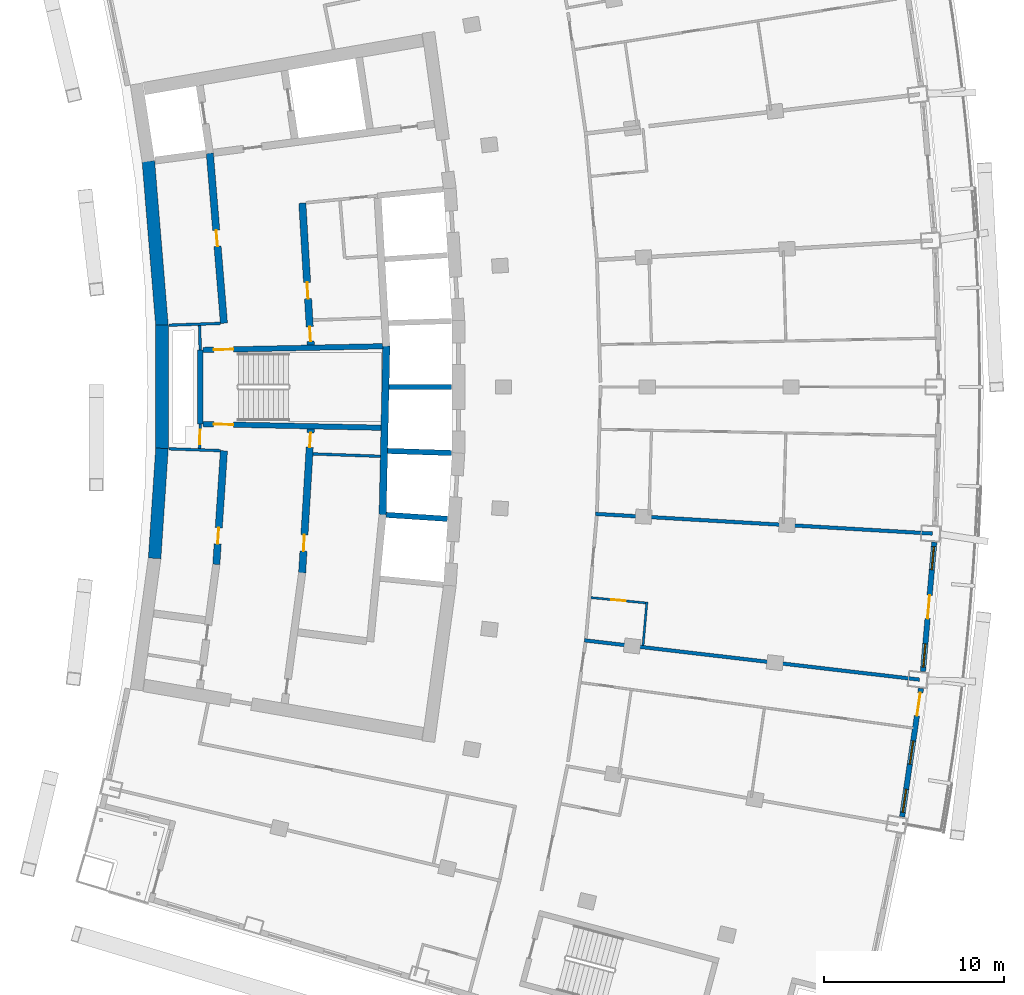
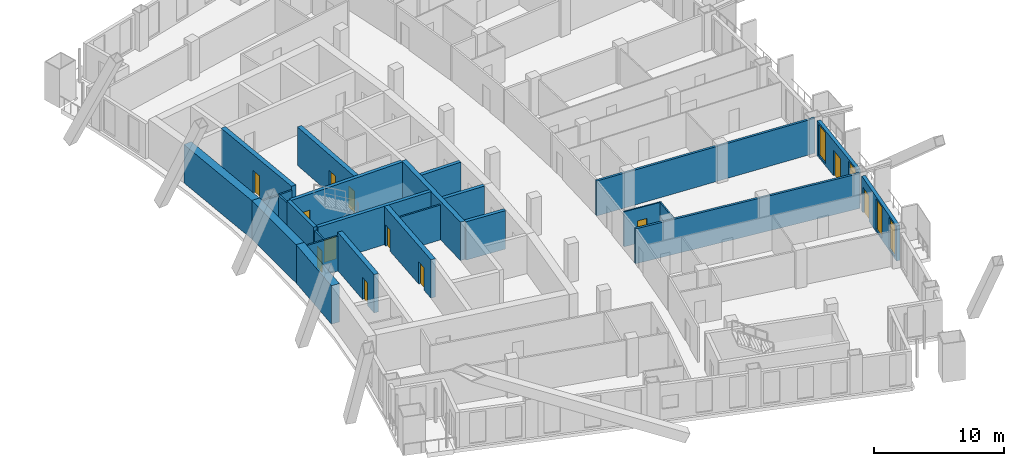
# One storey, part 12 of 20: 25 walls, 12 doors, 4 windows, 16 openings.
"""IFC4 building model written with IfcOpenShell, lengths in metres."""

import ifcopenshell
import ifcopenshell.guid

model = None  # the IFC model being written
_history = None  # IfcOwnerHistory: only IFC2X3 demands one
_inside = {}  # id of a spatial element -> (the spatial element, [elements in it])
_under = {}  # id of a project, library or spatial element -> (it, [spatial elements below it])
_declared = {}  # id of a project -> (the project, [libraries it declares])
_typed = {}  # id of a type object -> (the type object, [elements of that type])
_made_of = {}  # id of a material, layer set ... -> (it, [elements and type objects made of it])


def new_model(schema):
    """Start an empty IFC model of exactly this schema.

    Asked for "IFC4X3", IfcOpenShell would pick the latest addendum, in which some entities
    have other attributes; the version numbers below select the first issue.
    IFC2X3 requires an IfcOwnerHistory on every rooted entity: one is made here for all.
    """
    global model, _history
    if schema == "IFC4X3":
        model = ifcopenshell.file(schema_version=(4, 3, 0, 0))
    else:
        model = ifcopenshell.file(schema=schema)
    _inside.clear()
    _under.clear()
    _declared.clear()
    _typed.clear()
    _made_of.clear()
    _history = None
    if model.schema == "IFC2X3":
        org = make("IfcOrganization", Name="unknown")
        user = make(
            "IfcPersonAndOrganization",
            ThePerson=make("IfcPerson", FamilyName="unknown"),
            TheOrganization=org,
        )
        app = make(
            "IfcApplication",
            ApplicationDeveloper=org,
            Version="unknown",
            ApplicationFullName="unknown",
            ApplicationIdentifier="unknown",
        )
        _history = make(
            "IfcOwnerHistory",
            OwningUser=user,
            OwningApplication=app,
            ChangeAction="ADDED",
            CreationDate=0,
        )
    return model


def make(cls, **values):
    """One entity of the class cls with the attributes given. An attribute that is None is left unset."""
    return model.create_entity(
        cls, **{name: value for name, value in values.items() if value is not None}
    )


def rooted(cls, **values):
    """An entity with a GlobalId (a new one), such as an element, a storey or a relation."""
    return make(cls, GlobalId=ifcopenshell.guid.new(), OwnerHistory=_history, **values)


def si_unit(unit_type, name, prefix=None):
    """IfcSIUnit, for example si_unit("LENGTHUNIT", "METRE", prefix="MILLI")."""
    return make("IfcSIUnit", UnitType=unit_type, Prefix=prefix, Name=name)


def assignment(units):
    """IfcUnitAssignment: the units of a project."""
    return None if units is None else make("IfcUnitAssignment", Units=units)


def point(xyz):
    """IfcCartesianPoint."""
    return None if xyz is None else make("IfcCartesianPoint", Coordinates=xyz)


def direction(xyz):
    """IfcDirection."""
    return None if xyz is None else make("IfcDirection", DirectionRatios=xyz)


def frame(location, z_axis=None, x_axis=None):
    """IfcAxis2Placement3D, a coordinate frame: its origin and axes. An axis left out is left unset."""
    return make(
        "IfcAxis2Placement3D",
        Location=point(location),
        Axis=direction(z_axis),
        RefDirection=direction(x_axis),
    )


def frame_2d(location, x_axis=None):
    """IfcAxis2Placement2D, a coordinate frame in the plane: its origin and x axis."""
    return make(
        "IfcAxis2Placement2D", Location=point(location), RefDirection=direction(x_axis)
    )


def origin():
    """The frame at (0, 0, 0) with its axes left unset."""
    return frame((0.0, 0.0, 0.0))


def place(relative_to, where):
    """IfcLocalPlacement: puts the frame where relative to a parent placement (None: the world)."""
    return make(
        "IfcLocalPlacement", PlacementRelTo=relative_to, RelativePlacement=where
    )


def context(
    kind, dimensions, precision=None, world=None, true_north=None, identifier=None
):
    """IfcGeometricRepresentationContext, for example the 3D "Model" context."""
    return make(
        "IfcGeometricRepresentationContext",
        ContextIdentifier=identifier,
        ContextType=kind,
        CoordinateSpaceDimension=dimensions,
        Precision=precision,
        WorldCoordinateSystem=world,
        TrueNorth=true_north,
    )


def subcontext(parent, identifier, kind, view, scale=None):
    """IfcGeometricRepresentationSubContext, for example "Body" below "Model"."""
    return make(
        "IfcGeometricRepresentationSubContext",
        ContextIdentifier=identifier,
        ContextType=kind,
        ParentContext=parent,
        TargetScale=scale,
        TargetView=view,
    )


def project(units=None, contexts=None):
    """IfcProject with its units and contexts."""
    return rooted(
        "IfcProject",
        Name="project",
        RepresentationContexts=contexts,
        UnitsInContext=assignment(units),
    )


def spatial(cls, under=None, at=None, **own):
    """A site, building, storey or space (cls), placed at a placement, below another one or the project."""
    s = rooted(cls, ObjectPlacement=at, **own)
    if under is not None:
        _under.setdefault(under.id(), (under, []))[1].append(s)
    return s


def profile(cls, at=None, kind="AREA", **sizes):
    """A parametric profile (cls). Its sizes go by their IFC names, for example OverallWidth=200.0."""
    return make(cls, ProfileType=kind, Position=at, **sizes)


def rectangle(**sizes):
    """IfcRectangleProfileDef."""
    return profile("IfcRectangleProfileDef", **sizes)


def extrude(swept, where, along, depth):
    """IfcExtrudedAreaSolid: the profile swept, set in the frame where, extruded along a direction by depth."""
    return make(
        "IfcExtrudedAreaSolid",
        SweptArea=swept,
        Position=where,
        ExtrudedDirection=direction(along),
        Depth=depth,
    )


def shape(context_of_items, identifier, shape_type, items):
    """IfcShapeRepresentation: the items that make up one representation, for example the "Body"."""
    return make(
        "IfcShapeRepresentation",
        ContextOfItems=context_of_items,
        RepresentationIdentifier=identifier,
        RepresentationType=shape_type,
        Items=items,
    )


def material(Name=None, Category=None):
    """IfcMaterial."""
    return make("IfcMaterial", Name=Name, Category=Category)


def layer(
    of_material, thickness, ventilated=None, Name=None, Category=None, Priority=None
):
    """IfcMaterialLayer: one layer of a wall or slab, of a material (None: an air gap)."""
    return make(
        "IfcMaterialLayer",
        Material=of_material,
        LayerThickness=thickness,
        IsVentilated=ventilated,
        Name=Name,
        Category=Category,
        Priority=Priority,
    )


def layer_set(layers, Name=None):
    """IfcMaterialLayerSet."""
    return make("IfcMaterialLayerSet", MaterialLayers=layers, LayerSetName=Name)


def made_of(thing, what):
    """Note that an element or type object is made of a material, layer set ...; save() writes the relation."""
    if what is not None:
        _made_of.setdefault(what.id(), (what, []))[1].append(thing)
    return thing


def type_object(cls, material=None, **own):
    """A type object (cls), such as IfcWallType, which elements share."""
    return made_of(rooted(cls, **own), material)


def element(
    cls,
    number,
    at=None,
    inside=None,
    cuts=None,
    type_object=None,
    material=None,
    context=None,
    identifier="Body",
    shape_type=None,
    held_by="IfcProductDefinitionShape",
    body=None,
    shapes=None,
    **own,
):
    """One element of the class cls, such as IfcWall. Its Tag is "e" and its number.

    at: its placement. inside: the storey or other place that contains it. cuts: it is an
    opening in that element (IfcRelVoidsElement). A single representation is given by context,
    identifier, shape_type and body (its items); several are given by shapes. held_by: the class
    of the entity that holds the representations. save() writes the other relations.
    """
    e = rooted(cls, Tag="e%d" % number, ObjectPlacement=at, **own)
    if body is not None:
        shapes = [shape(context, identifier, shape_type, body)]
    if shapes is not None:
        e.Representation = make(held_by, Representations=shapes)
    if inside is not None:
        _inside.setdefault(inside.id(), (inside, []))[1].append(e)
    if cuts is not None:
        rooted(
            "IfcRelVoidsElement", RelatingBuildingElement=cuts, RelatedOpeningElement=e
        )
    if type_object is not None:
        _typed.setdefault(type_object.id(), (type_object, []))[1].append(e)
    return made_of(e, material)


def fill(opening, filler):
    """IfcRelFillsElement: the door or window that sits in an opening."""
    return rooted(
        "IfcRelFillsElement",
        RelatingOpeningElement=opening,
        RelatedBuildingElement=filler,
    )


def aggregate(whole, parts):
    """IfcRelAggregates: a whole, such as a stair, and the parts it consists of."""
    return rooted("IfcRelAggregates", RelatingObject=whole, RelatedObjects=parts)


def save(model, path):
    """Write the relations noted so far, then the file.

    IfcRelAggregates (storeys below a building ...), IfcRelContainedInSpatialStructure (elements
    in a storey), IfcRelDefinesByType, IfcRelAssociatesMaterial and IfcRelDeclares: one each for
    every whole, place, type object, material and project.
    """
    for whole, parts in _under.values():
        aggregate(whole, parts)
    for where, things in _inside.values():
        rooted(
            "IfcRelContainedInSpatialStructure",
            RelatedElements=things,
            RelatingStructure=where,
        )
    for kind, things in _typed.values():
        rooted("IfcRelDefinesByType", RelatedObjects=things, RelatingType=kind)
    for what, things in _made_of.values():
        rooted("IfcRelAssociatesMaterial", RelatedObjects=things, RelatingMaterial=what)
    for by, libraries in _declared.values():
        rooted("IfcRelDeclares", RelatingContext=by, RelatedDefinitions=libraries)
    model.write(path)


model = new_model("IFC4")

# Units and contexts
model_context = context("Model", 3, precision=1e-05, world=origin(), true_north=direction((0.0, 1.0)))
body_context = subcontext(model_context, "Body", "Model", "MODEL_VIEW")
ifc_project = project(units=[si_unit("LENGTHUNIT", "METRE"), si_unit("AREAUNIT", "SQUARE_METRE"), si_unit("VOLUMEUNIT", "CUBIC_METRE"), si_unit("PLANEANGLEUNIT", "RADIAN"), si_unit("MASSUNIT", "GRAM", prefix="KILO")], contexts=[model_context])

# Site, building, storey
site_placement = place(None, origin())
site = spatial("IfcSite", under=ifc_project, at=site_placement, CompositionType="ELEMENT")
building_placement = place(site_placement, origin())
building = spatial("IfcBuilding", under=site, at=building_placement, Name="Alderwake Tower", CompositionType="ELEMENT")
storey_placement = place(building_placement, frame((0.0, 0.0, 149.60009765625)))
storey = spatial("IfcBuildingStorey", under=building, at=storey_placement, Name="L36", CompositionType="ELEMENT", Elevation=149.60009765625)

# Wall
ifc_material_1 = material(Name="Gypsum shaft wall system, rated")
ifc_layer_1 = layer(ifc_material_1, 0.14990234375)
ifc_layer_set_1 = layer_set([ifc_layer_1], Name="Core riser partition 150")
wall_type_1 = type_object("IfcWallType", Name="Core riser partition 150", PredefinedType="PARTITIONING", material=ifc_layer_set_1)
wall_1_placement = place(storey_placement, frame((25.1904296875, 57.276611328125, 0.0), z_axis=(0.0, 0.0, 1.0), x_axis=(0.99937350076, -0.035392173974, 0.0)))
element("IfcWall", 1, at=wall_1_placement, inside=storey, type_object=wall_type_1, Name="CW/L36/PR-37_+86", PredefinedType="PARTITIONING", context=body_context, shape_type="SweptSolid", body=[
    extrude(rectangle(XDim=3.752685546875, YDim=0.14990234375, at=frame_2d((1.87646484375, 0.0))), origin(), (0.0, 0.0, 1.0), 3.27978515625),
])

# Wall, opening, door
ifc_material_2 = material(Name="Gypsum shaft wall system, rated")
ifc_layer_2 = layer(ifc_material_2, 0.14990234375)
ifc_layer_set_2 = layer_set([ifc_layer_2], Name="Core room partition 150")
wall_type_2 = type_object("IfcWallType", Name="Core room partition 150", PredefinedType="PARTITIONING", material=ifc_layer_set_2)
wall_2_placement = place(storey_placement, frame((18.918701171875, 58.94384765625, 0.0), z_axis=(0.0, 0.0, 1.0), x_axis=(-0.027811602725, -0.999613182563, 0.0)))
wall_2 = element("IfcWall", 2, at=wall_2_placement, inside=storey, type_object=wall_type_2, Name="CW/L36/PA+24_-37", PredefinedType="PARTITIONING", context=body_context, shape_type="SweptSolid", body=[
    extrude(rectangle(XDim=1.369384765625, YDim=0.14990234375, at=frame_2d((0.6845703125, 0.0))), origin(), (0.0, 0.0, 1.0), 3.27978515625),
])
opening_1_placement = place(wall_2_placement, frame((0.322998046875, 0.0, 0.0)))
opening_1 = element("IfcOpeningElement", 3, at=opening_1_placement, cuts=wall_2, Name="Opening C004", PredefinedType="OPENING", context=body_context, shape_type="SweptSolid", body=[
    extrude(rectangle(XDim=0.800048828125, YDim=2.0, at=frame_2d((0.39990234375, 1.0))), frame((0.0, 0.0849609375, 0.0), z_axis=(0.0, -1.0, 0.0), x_axis=(1.0, 0.0, 0.0)), (0.0, 0.0, 1.0), 0.169921875),
])
ifc_material_3 = material(Name="Painted steel leaf, rated", Category="steel")
door_type_1 = type_object("IfcDoorType", Name="Riser access door 800", OperationType="SINGLE_SWING_LEFT", PredefinedType="DOOR", material=ifc_material_3)
door_1_placement = place(opening_1_placement, origin())
door_1 = element("IfcDoor", 4, at=door_1_placement, inside=storey, type_object=door_type_1, Name="Riser access door", OperationType="SINGLE_SWING_RIGHT", OverallHeight=2.0, OverallWidth=0.800048828125, PredefinedType="DOOR", context=body_context, shape_type="SweptSolid", body=[
    extrude(rectangle(XDim=0.800048828125, YDim=2.0, at=frame_2d((0.39990234375, 1.0))), frame((0.0, 0.02490234375, 0.0), z_axis=(0.0, -1.0, 0.0), x_axis=(1.0, 0.0, 0.0)), (0.0, 0.0, 1.0), 0.050048828125),
])
fill(opening_1, door_1)

# Walls
wall_3_placement = place(storey_placement, frame((18.918701171875, 63.05517578125, 0.0), z_axis=(0.0, 0.0, 1.0), x_axis=(-0.027791791559, 0.99961373356, 0.0)))
element("IfcWall", 5, at=wall_3_placement, inside=storey, type_object=wall_type_2, Name="CW/L36/PA+24_+22", PredefinedType="PARTITIONING", context=body_context, shape_type="SweptSolid", body=[
    extrude(rectangle(XDim=1.370361328125, YDim=0.14990234375, at=frame_2d((0.68505859375, 0.0))), origin(), (0.0, 0.0, 1.0), 3.27978515625),
])
wall_4_placement = place(storey_placement, frame((17.169189453125, 57.560546875, 0.0), z_axis=(0.0, 0.0, 1.0), x_axis=(0.999373538371, -0.03539111194, 0.0)))
element("IfcWall", 6, at=wall_4_placement, inside=storey, type_object=wall_type_2, Name="CW/L36/PR-37_+0", PredefinedType="PARTITIONING", context=body_context, shape_type="SweptSolid", body=[
    extrude(rectangle(XDim=2.86962890625, YDim=0.14990234375, at=frame_2d((1.434814453125, 0.0))), origin(), (0.0, 0.0, 1.0), 3.27978515625),
])
wall_5_placement = place(storey_placement, frame((17.16943359375, 64.439453125, 0.0), z_axis=(0.0, 0.0, 1.0), x_axis=(0.999373431798, 0.035394121201, 0.0)))
element("IfcWall", 7, at=wall_5_placement, inside=storey, type_object=wall_type_2, Name="CW/L36/PR+37_+0", PredefinedType="PARTITIONING", context=body_context, shape_type="SweptSolid", body=[
    extrude(rectangle(XDim=2.869384765625, YDim=0.14990234375, at=frame_2d((1.4345703125, 0.0))), origin(), (0.0, 0.0, 1.0), 3.27978515625),
])
ifc_material_4 = material(Name="Concrete C70/85", Category="concrete")
ifc_layer_3 = layer(ifc_material_4, 0.699951171875)
ifc_layer_set_3 = layer_set([ifc_layer_3], Name="Core wall outer 700 C70-85")
wall_type_3 = type_object("IfcWallType", Name="Core wall outer 700 C70-85", PredefinedType="SHEAR", material=ifc_layer_set_3)
wall_6_placement = place(storey_placement, frame((16.379638671875, 51.46337890625, 0.0), z_axis=(0.0, 0.0, 1.0), x_axis=(0.066917731608, 0.997758496429, 0.0)))
element("IfcWall", 8, at=wall_6_placement, inside=storey, type_object=wall_type_3, Name="Core wall CW.041", PredefinedType="SHEAR", context=body_context, shape_type="SweptSolid", body=[
    extrude(rectangle(XDim=6.136474609375, YDim=0.699951171875, at=frame_2d((3.068359375, 0.0))), origin(), (0.0, 0.0, 1.0), 3.599853515625),
])
wall_7_placement = place(storey_placement, frame((16.789306640625, 57.561767578125, 0.0), z_axis=(0.0, 0.0, 1.0), x_axis=(0.0, 1.0, 0.0)))
element("IfcWall", 9, at=wall_7_placement, inside=storey, type_object=wall_type_3, Name="Core wall CW.043", PredefinedType="SHEAR", context=body_context, shape_type="SweptSolid", body=[
    extrude(rectangle(XDim=6.87939453125, YDim=0.699951171875, at=frame_2d((3.439697265625, 0.0))), origin(), (0.0, 0.0, 1.0), 3.599853515625),
])
wall_8_placement = place(storey_placement, frame((16.79052734375, 64.4111328125, 0.0), z_axis=(0.0, 0.0, 1.0), x_axis=(-0.082616907099, 0.996581379849, 0.0)))
element("IfcWall", 10, at=wall_8_placement, inside=storey, type_object=wall_type_3, Name="Core wall CW.040", PredefinedType="SHEAR", context=body_context, shape_type="SweptSolid", body=[
    extrude(rectangle(XDim=9.193359375, YDim=0.699951171875, at=frame_2d((4.5966796875, 0.0))), origin(), (0.0, 0.0, 1.0), 3.599853515625),
])
ifc_material_5 = material(Name="Concrete C70/85", Category="concrete")
ifc_layer_4 = layer(ifc_material_5, 0.300048828125)
ifc_layer_set_4 = layer_set([ifc_layer_4], Name="Core wall shaft 300 C70-85")
wall_type_4 = type_object("IfcWallType", Name="Core wall shaft 300 C70-85", PredefinedType="SHEAR", material=ifc_layer_set_4)
wall_9_placement = place(storey_placement, frame((29.268798828125, 53.884521484375, 0.0), z_axis=(0.0, 0.0, 1.0), x_axis=(0.997884450261, -0.065012490553, 0.0)))
element("IfcWall", 11, at=wall_9_placement, inside=storey, type_object=wall_type_4, Name="Core wall CW.078", PredefinedType="SHEAR", context=body_context, shape_type="SweptSolid", body=[
    extrude(rectangle(XDim=3.409912109375, YDim=0.300048828125, at=frame_2d((1.705078125, 0.0))), origin(), (0.0, 0.0, 1.0), 3.599853515625),
])
wall_10_placement = place(storey_placement, frame((29.347412109375, 57.443603515625, 0.0), z_axis=(0.0, 0.0, 1.0), x_axis=(0.999470674121, -0.03253262319, 0.0)))
element("IfcWall", 12, at=wall_10_placement, inside=storey, type_object=wall_type_4, Name="Core wall CW.075", PredefinedType="SHEAR", context=body_context, shape_type="SweptSolid", body=[
    extrude(rectangle(XDim=3.564697265625, YDim=0.300048828125, at=frame_2d((1.7822265625, 0.0))), origin(), (0.0, 0.0, 1.0), 3.599853515625),
])
wall_11_placement = place(storey_placement, frame((29.426025390625, 61.0, 0.0), z_axis=(0.0, 0.0, 1.0), x_axis=(1.0, 0.0, 0.0)))
element("IfcWall", 13, at=wall_11_placement, inside=storey, type_object=wall_type_4, Name="Core wall CW.048", PredefinedType="SHEAR", context=body_context, shape_type="SweptSolid", body=[
    extrude(rectangle(XDim=3.484130859375, YDim=0.300048828125, at=frame_2d((1.7421875, 0.0))), origin(), (0.0, 0.0, 1.0), 3.599853515625),
])

# Wall, opening, door
ifc_material_6 = material(Name="Concrete C70/85", Category="concrete")
ifc_layer_5 = layer(ifc_material_6, 0.39990234375)
ifc_layer_set_5 = layer_set([ifc_layer_5], Name="Core wall spine 400 C70-85")
wall_type_5 = type_object("IfcWallType", Name="Core wall spine 400 C70-85", PredefinedType="SHEAR", material=ifc_layer_set_5)
wall_12_placement = place(storey_placement, frame((20.2373046875, 57.451904296875, 0.0), z_axis=(0.0, 0.0, 1.0), x_axis=(-0.066887252767, -0.997760540118, 0.0)))
wall_12 = element("IfcWall", 14, at=wall_12_placement, inside=storey, type_object=wall_type_5, Name="Core wall CW.032", PredefinedType="SHEAR", context=body_context, shape_type="SweptSolid", body=[
    extrude(rectangle(XDim=6.33642578125, YDim=0.39990234375, at=frame_2d((3.168212890625, 0.0))), origin(), (0.0, 0.0, 1.0), 3.599853515625),
])
opening_2_placement = place(wall_12_placement, frame((4.29736328125, 0.0, 0.0)))
opening_2 = element("IfcOpeningElement", 15, at=opening_2_placement, cuts=wall_12, Name="Opening C037", PredefinedType="OPENING", context=body_context, shape_type="SweptSolid", body=[
    extrude(rectangle(XDim=0.89990234375, YDim=2.10009765625, at=frame_2d((0.449951171875, 1.050048828125))), frame((0.0, 0.2099609375, 0.0), z_axis=(0.0, -1.0, 0.0), x_axis=(1.0, 0.0, 0.0)), (0.0, 0.0, 1.0), 0.419921875),
])
ifc_material_7 = material(Name="Painted steel leaf", Category="steel")
door_type_2 = type_object("IfcDoorType", Name="Core room door 900", OperationType="SINGLE_SWING_LEFT", PredefinedType="DOOR", material=ifc_material_7)
door_2_placement = place(opening_2_placement, origin())
door_2 = element("IfcDoor", 16, at=door_2_placement, inside=storey, type_object=door_type_2, Name="Room door", OperationType="SINGLE_SWING_RIGHT", OverallHeight=2.10009765625, OverallWidth=0.89990234375, PredefinedType="DOOR", context=body_context, shape_type="SweptSolid", body=[
    extrude(rectangle(XDim=0.89990234375, YDim=2.10009765625, at=frame_2d((0.449951171875, 1.050048828125))), frame((0.0, 0.02490234375, 0.0), z_axis=(0.0, -1.0, 0.0), x_axis=(1.0, 0.0, 0.0)), (0.0, 0.0, 1.0), 0.050048828125),
])
fill(opening_2, door_2)

wall_13_placement = place(storey_placement, frame((19.452392578125, 74.014892578125, 0.0), z_axis=(0.0, 0.0, 1.0), x_axis=(0.082628585297, -0.996580411654, 0.0)))
wall_13 = element("IfcWall", 17, at=wall_13_placement, inside=storey, type_object=wall_type_5, Name="Core wall CW.031", PredefinedType="SHEAR", context=body_context, shape_type="SweptSolid", body=[
    extrude(rectangle(XDim=9.499267578125, YDim=0.39990234375, at=frame_2d((4.74951171875, 0.0))), origin(), (0.0, 0.0, 1.0), 3.599853515625),
])
opening_3_placement = place(wall_13_placement, frame((4.302978515625, 0.0, 0.0)))
opening_3 = element("IfcOpeningElement", 18, at=opening_3_placement, cuts=wall_13, Name="Opening C051", PredefinedType="OPENING", context=body_context, shape_type="SweptSolid", body=[
    extrude(rectangle(XDim=0.89990234375, YDim=2.10009765625, at=frame_2d((0.449951171875, 1.050048828125))), frame((0.0, 0.2099609375, 0.0), z_axis=(0.0, -1.0, 0.0), x_axis=(1.0, 0.0, 0.0)), (0.0, 0.0, 1.0), 0.419921875),
])
door_3_placement = place(opening_3_placement, origin())
door_3 = element("IfcDoor", 19, at=door_3_placement, inside=storey, type_object=door_type_2, Name="Room door", OperationType="SINGLE_SWING_RIGHT", OverallHeight=2.10009765625, OverallWidth=0.89990234375, PredefinedType="DOOR", context=body_context, shape_type="SweptSolid", body=[
    extrude(rectangle(XDim=0.89990234375, YDim=2.10009765625, at=frame_2d((0.449951171875, 1.050048828125))), frame((0.0, 0.02490234375, 0.0), z_axis=(0.0, -1.0, 0.0), x_axis=(1.0, 0.0, 0.0)), (0.0, 0.0, 1.0), 0.050048828125),
])
fill(opening_3, door_3)

# Wall, openings, doors
wall_14_placement = place(storey_placement, frame((24.590087890625, 50.656982421875, 0.0), z_axis=(0.0, 0.0, 1.0), x_axis=(0.060320473855, 0.99817906231, 0.0)))
wall_14 = element("IfcWall", 20, at=wall_14_placement, inside=storey, type_object=wall_type_5, Name="Core wall CW.046", PredefinedType="SHEAR", context=body_context, shape_type="SweptSolid", body=[
    extrude(rectangle(XDim=8.02197265625, YDim=0.39990234375, at=frame_2d((4.010986328125, 0.0))), origin(), (0.0, 0.0, 1.0), 3.599853515625),
])
opening_4_placement = place(wall_14_placement, frame((7.005859375, 0.0, 0.0)))
opening_4 = element("IfcOpeningElement", 21, at=opening_4_placement, cuts=wall_14, Name="Opening C006", PredefinedType="OPENING", context=body_context, shape_type="SweptSolid", body=[
    extrude(rectangle(XDim=0.800048828125, YDim=2.0, at=frame_2d((0.39990234375, 1.0))), frame((0.0, 0.2099609375, 0.0), z_axis=(0.0, -1.0, 0.0), x_axis=(1.0, 0.0, 0.0)), (0.0, 0.0, 1.0), 0.419921875),
])
opening_5_placement = place(wall_14_placement, frame((1.21533203125, 0.0, 0.0)))
opening_5 = element("IfcOpeningElement", 22, at=opening_5_placement, cuts=wall_14, Name="Opening C043", PredefinedType="OPENING", context=body_context, shape_type="SweptSolid", body=[
    extrude(rectangle(XDim=0.89990234375, YDim=2.10009765625, at=frame_2d((0.449951171875, 1.050048828125))), frame((0.0, 0.2099609375, 0.0), z_axis=(0.0, -1.0, 0.0), x_axis=(1.0, 0.0, 0.0)), (0.0, 0.0, 1.0), 0.419921875),
])
door_4_placement = place(opening_5_placement, origin())
door_4 = element("IfcDoor", 23, at=door_4_placement, inside=storey, type_object=door_type_2, Name="Room door", OperationType="SINGLE_SWING_LEFT", OverallHeight=2.10009765625, OverallWidth=0.89990234375, PredefinedType="DOOR", context=body_context, shape_type="SweptSolid", body=[
    extrude(rectangle(XDim=0.89990234375, YDim=2.10009765625, at=frame_2d((0.449951171875, 1.050048828125))), frame((0.0, 0.02490234375, 0.0), z_axis=(0.0, -1.0, 0.0), x_axis=(1.0, 0.0, 0.0)), (0.0, 0.0, 1.0), 0.050048828125),
])
fill(opening_5, door_4)
door_5_placement = place(opening_4_placement, origin())
door_5 = element("IfcDoor", 24, at=door_5_placement, inside=storey, type_object=door_type_1, Name="Riser access door", OperationType="SINGLE_SWING_RIGHT", OverallHeight=2.0, OverallWidth=0.800048828125, PredefinedType="DOOR", context=body_context, shape_type="SweptSolid", body=[
    extrude(rectangle(XDim=0.800048828125, YDim=2.0, at=frame_2d((0.39990234375, 1.0))), frame((0.0, 0.02490234375, 0.0), z_axis=(0.0, -1.0, 0.0), x_axis=(1.0, 0.0, 0.0)), (0.0, 0.0, 1.0), 0.050048828125),
])
fill(opening_4, door_5)

wall_15_placement = place(storey_placement, frame((25.073974609375, 63.335693359375, 0.0), z_axis=(0.0, 0.0, 1.0), x_axis=(-0.059848641072, 0.998207463487, 0.0)))
wall_15 = element("IfcWall", 25, at=wall_15_placement, inside=storey, type_object=wall_type_5, Name="Core wall CW.045", PredefinedType="SHEAR", context=body_context, shape_type="SweptSolid", body=[
    extrude(rectangle(XDim=7.913818359375, YDim=0.39990234375, at=frame_2d((3.95703125, 0.0))), origin(), (0.0, 0.0, 1.0), 3.599853515625),
])
opening_6_placement = place(wall_15_placement, frame((0.216064453125, 0.0, 0.0)))
opening_6 = element("IfcOpeningElement", 26, at=opening_6_placement, cuts=wall_15, Name="Opening C005", PredefinedType="OPENING", context=body_context, shape_type="SweptSolid", body=[
    extrude(rectangle(XDim=0.800048828125, YDim=2.0, at=frame_2d((0.39990234375, 1.0))), frame((0.0, 0.2099609375, 0.0), z_axis=(0.0, -1.0, 0.0), x_axis=(1.0, 0.0, 0.0)), (0.0, 0.0, 1.0), 0.419921875),
])
opening_7_placement = place(wall_15_placement, frame((2.590087890625, 0.0, 0.0)))
opening_7 = element("IfcOpeningElement", 27, at=opening_7_placement, cuts=wall_15, Name="Opening C058", PredefinedType="OPENING", context=body_context, shape_type="SweptSolid", body=[
    extrude(rectangle(XDim=0.89990234375, YDim=2.10009765625, at=frame_2d((0.449951171875, 1.050048828125))), frame((0.0, 0.2099609375, 0.0), z_axis=(0.0, -1.0, 0.0), x_axis=(1.0, 0.0, 0.0)), (0.0, 0.0, 1.0), 0.419921875),
])
door_6_placement = place(opening_7_placement, origin())
door_6 = element("IfcDoor", 28, at=door_6_placement, inside=storey, type_object=door_type_2, Name="Room door", OperationType="SINGLE_SWING_LEFT", OverallHeight=2.10009765625, OverallWidth=0.89990234375, PredefinedType="DOOR", context=body_context, shape_type="SweptSolid", body=[
    extrude(rectangle(XDim=0.89990234375, YDim=2.10009765625, at=frame_2d((0.449951171875, 1.050048828125))), frame((0.0, 0.02490234375, 0.0), z_axis=(0.0, -1.0, 0.0), x_axis=(1.0, 0.0, 0.0)), (0.0, 0.0, 1.0), 0.050048828125),
])
fill(opening_7, door_6)
door_7_placement = place(opening_6_placement, origin())
door_7 = element("IfcDoor", 29, at=door_7_placement, inside=storey, type_object=door_type_1, Name="Riser access door", OperationType="SINGLE_SWING_LEFT", OverallHeight=2.0, OverallWidth=0.800048828125, PredefinedType="DOOR", context=body_context, shape_type="SweptSolid", body=[
    extrude(rectangle(XDim=0.800048828125, YDim=2.0, at=frame_2d((0.39990234375, 1.0))), frame((0.0, 0.02490234375, 0.0), z_axis=(0.0, -1.0, 0.0), x_axis=(1.0, 0.0, 0.0)), (0.0, 0.0, 1.0), 0.050048828125),
])
fill(opening_6, door_7)

# Walls
wall_16_placement = place(storey_placement, frame((29.06884765625, 53.889404296875, 0.0), z_axis=(0.0, 0.0, 1.0), x_axis=(0.022115148322, 0.9997554302, 0.0)))
element("IfcWall", 30, at=wall_16_placement, inside=storey, type_object=wall_type_5, Name="Core wall CW.008", PredefinedType="SHEAR", context=body_context, shape_type="SweptSolid", body=[
    extrude(rectangle(XDim=9.39453125, YDim=0.39990234375, at=frame_2d((4.697265625, 0.0))), origin(), (0.0, 0.0, 1.0), 3.599853515625),
])
ifc_material_8 = material(Name="Concrete C70/85", Category="concrete")
ifc_layer_6 = layer(ifc_material_8, 0.300048828125)
ifc_layer_set_6 = layer_set([ifc_layer_6], Name="Core wall stair enclosure 300 C70-85")
wall_type_6 = type_object("IfcWallType", Name="Core wall stair enclosure 300 C70-85", PredefinedType="SHEAR", material=ifc_layer_set_6)
wall_17_placement = place(storey_placement, frame((18.918701171875, 58.940673828125, 0.0), z_axis=(0.0, 0.0, 1.0), x_axis=(0.0, 1.0, 0.0)))
element("IfcWall", 31, at=wall_17_placement, inside=storey, type_object=wall_type_6, Name="Core wall CW.024", PredefinedType="SHEAR", context=body_context, shape_type="SweptSolid", body=[
    extrude(rectangle(XDim=4.11962890625, YDim=0.300048828125, at=frame_2d((2.059814453125, 0.0))), origin(), (0.0, 0.0, 1.0), 3.599853515625),
])

# Wall, opening, door
wall_18_placement = place(storey_placement, frame((28.975830078125, 58.733154296875, 0.0), z_axis=(0.0, 0.0, 1.0), x_axis=(-0.999783782948, 0.020793925895, 0.0)))
wall_18 = element("IfcWall", 32, at=wall_18_placement, inside=storey, type_object=wall_type_6, Name="Core wall CW.074", PredefinedType="SHEAR", context=body_context, shape_type="SweptSolid", body=[
    extrude(rectangle(XDim=9.909423828125, YDim=0.300048828125, at=frame_2d((4.95458984375, 0.0))), origin(), (0.0, 0.0, 1.0), 3.599853515625),
])
opening_8_placement = place(wall_18_placement, frame((8.20947265625, 0.0, 0.0)))
opening_8 = element("IfcOpeningElement", 33, at=opening_8_placement, cuts=wall_18, Name="Opening C063", PredefinedType="OPENING", context=body_context, shape_type="SweptSolid", body=[
    extrude(rectangle(XDim=1.10009765625, YDim=2.10009765625, at=frame_2d((0.550048828125, 1.050048828125))), frame((0.0, 0.159912109375, 0.0), z_axis=(0.0, -1.0, 0.0), x_axis=(1.0, 0.0, 0.0)), (0.0, 0.0, 1.0), 0.320068359375),
])
ifc_material_9 = material(Name="Steel-framed fire door leaf", Category="steel")
door_type_3 = type_object("IfcDoorType", Name="Core stair door 1100 fire-rated", OperationType="SINGLE_SWING_LEFT", PredefinedType="DOOR", material=ifc_material_9)
door_8_placement = place(opening_8_placement, origin())
door_8 = element("IfcDoor", 34, at=door_8_placement, inside=storey, type_object=door_type_3, Name="Stair door", OperationType="SINGLE_SWING_LEFT", OverallHeight=2.10009765625, OverallWidth=1.10009765625, PredefinedType="DOOR", context=body_context, shape_type="SweptSolid", body=[
    extrude(rectangle(XDim=1.10009765625, YDim=2.10009765625, at=frame_2d((0.550048828125, 1.050048828125))), frame((0.0, 0.02490234375, 0.0), z_axis=(0.0, -1.0, 0.0), x_axis=(1.0, 0.0, 0.0)), (0.0, 0.0, 1.0), 0.050048828125),
])
fill(opening_8, door_8)

wall_19_placement = place(storey_placement, frame((19.068603515625, 63.060791015625, 0.0), z_axis=(0.0, 0.0, 1.0), x_axis=(0.999783553773, 0.02080494185, 0.0)))
wall_19 = element("IfcWall", 35, at=wall_19_placement, inside=storey, type_object=wall_type_6, Name="Core wall CW.057", PredefinedType="SHEAR", context=body_context, shape_type="SweptSolid", body=[
    extrude(rectangle(XDim=10.009765625, YDim=0.300048828125, at=frame_2d((5.0048828125, 0.0))), origin(), (0.0, 0.0, 1.0), 3.599853515625),
])
opening_9_placement = place(wall_19_placement, frame((0.60009765625, 0.0, 0.0)))
opening_9 = element("IfcOpeningElement", 36, at=opening_9_placement, cuts=wall_19, Name="Opening C064", PredefinedType="OPENING", context=body_context, shape_type="SweptSolid", body=[
    extrude(rectangle(XDim=1.10009765625, YDim=2.10009765625, at=frame_2d((0.550048828125, 1.050048828125))), frame((0.0, 0.159912109375, 0.0), z_axis=(0.0, -1.0, 0.0), x_axis=(1.0, 0.0, 0.0)), (0.0, 0.0, 1.0), 0.320068359375),
])
door_9_placement = place(opening_9_placement, origin())
door_9 = element("IfcDoor", 37, at=door_9_placement, inside=storey, type_object=door_type_3, Name="Stair door", OperationType="SINGLE_SWING_RIGHT", OverallHeight=2.10009765625, OverallWidth=1.10009765625, PredefinedType="DOOR", context=body_context, shape_type="SweptSolid", body=[
    extrude(rectangle(XDim=1.10009765625, YDim=2.10009765625, at=frame_2d((0.550048828125, 1.050048828125))), frame((0.0, 0.02490234375, 0.0), z_axis=(0.0, -1.0, 0.0), x_axis=(1.0, 0.0, 0.0)), (0.0, 0.0, 1.0), 0.050048828125),
])
fill(opening_9, door_9)

# Wall, openings, door, windows
ifc_material_10 = material(Name="Precast concrete C50/60 spandrel panel", Category="concrete")
ifc_layer_7 = layer(ifc_material_10, 0.300048828125)
ifc_layer_set_7 = layer_set([ifc_layer_7], Name="External wall EW1 Precast concrete C50/60 spandrel")
wall_type_7 = type_object("IfcWallType", Name="External wall EW1 Precast concrete C50/60 spandrel", PredefinedType="SOLIDWALL", material=ifc_layer_set_7)
wall_20_placement = place(storey_placement, frame((57.979736328125, 37.084228515625, 0.0), z_axis=(0.0, 0.0, 1.0), x_axis=(0.145324652045, 0.989384023273, 0.0)))
wall_20 = element("IfcWall", 38, at=wall_20_placement, inside=storey, type_object=wall_type_7, Name="External wall 13", PredefinedType="SOLIDWALL", context=body_context, shape_type="SweptSolid", body=[
    extrude(rectangle(XDim=7.22216796875, YDim=0.300048828125, at=frame_2d((3.611083984375, 0.0))), origin(), (0.0, 0.0, 1.0), 3.27978515625),
])
opening_10_placement = place(wall_20_placement, frame((0.2431640625, 0.0, 0.199951171875)))
opening_10 = element("IfcOpeningElement", 39, at=opening_10_placement, cuts=wall_20, Name="Opening W1", PredefinedType="OPENING", context=body_context, shape_type="SweptSolid", body=[
    extrude(rectangle(XDim=1.300048828125, YDim=2.89990234375, at=frame_2d((0.64990234375, 1.449951171875))), frame((0.0, 0.159912109375, 0.0), z_axis=(0.0, -1.0, 0.0), x_axis=(1.0, 0.0, 0.0)), (0.0, 0.0, 1.0), 0.320068359375),
])
opening_11_placement = place(wall_20_placement, frame((2.961181640625, 0.0, 0.199951171875)))
opening_11 = element("IfcOpeningElement", 40, at=opening_11_placement, cuts=wall_20, Name="Opening W1", PredefinedType="OPENING", context=body_context, shape_type="SweptSolid", body=[
    extrude(rectangle(XDim=1.300048828125, YDim=2.89990234375, at=frame_2d((0.64990234375, 1.449951171875))), frame((0.0, 0.159912109375, 0.0), z_axis=(0.0, -1.0, 0.0), x_axis=(1.0, 0.0, 0.0)), (0.0, 0.0, 1.0), 0.320068359375),
])
opening_12_placement = place(wall_20_placement, frame((5.678955078125, 0.0, 0.0)))
opening_12 = element("IfcOpeningElement", 41, at=opening_12_placement, cuts=wall_20, Name="Opening D02", PredefinedType="OPENING", context=body_context, shape_type="SweptSolid", body=[
    extrude(rectangle(XDim=1.300048828125, YDim=2.39990234375, at=frame_2d((0.64990234375, 1.199951171875))), frame((0.0, 0.159912109375, 0.0), z_axis=(0.0, -1.0, 0.0), x_axis=(1.0, 0.0, 0.0)), (0.0, 0.0, 1.0), 0.320068359375),
])
ifc_material_11 = material(Name="Bronze tinted glass in aluminium frame", Category="aluminium")
door_type_4 = type_object("IfcDoorType", Name="Balcony door BD sliding", OperationType="SLIDING_TO_LEFT", PredefinedType="DOOR", material=ifc_material_11)
door_10_placement = place(opening_12_placement, origin())
door_10 = element("IfcDoor", 42, at=door_10_placement, inside=storey, type_object=door_type_4, Name="Door D02", OperationType="SLIDING_TO_LEFT", OverallHeight=2.39990234375, OverallWidth=1.300048828125, PredefinedType="DOOR", context=body_context, shape_type="SweptSolid", body=[
    extrude(rectangle(XDim=1.300048828125, YDim=2.39990234375, at=frame_2d((0.64990234375, 1.199951171875))), frame((0.0, 0.02490234375, 0.0), z_axis=(0.0, -1.0, 0.0), x_axis=(1.0, 0.0, 0.0)), (0.0, 0.0, 1.0), 0.050048828125),
])
fill(opening_12, door_10)
ifc_material_12 = material(Name="Bronze tinted glass in aluminium frame", Category="aluminium")
window_type = type_object("IfcWindowType", Name="Window W1 tall fixed and vent", PartitioningType="DOUBLE_PANEL_VERTICAL", PredefinedType="WINDOW", material=ifc_material_12)
window_1_placement = place(opening_10_placement, origin())
window_1 = element("IfcWindow", 43, at=window_1_placement, inside=storey, type_object=window_type, Name="Window W1 tall fixed and vent", OverallHeight=2.89990234375, OverallWidth=1.300048828125, PartitioningType="DOUBLE_PANEL_VERTICAL", PredefinedType="WINDOW", context=body_context, shape_type="SweptSolid", body=[
    extrude(rectangle(XDim=1.300048828125, YDim=2.89990234375, at=frame_2d((0.64990234375, 1.449951171875))), frame((0.0, 0.030029296875, 0.0), z_axis=(0.0, -1.0, 0.0), x_axis=(1.0, 0.0, 0.0)), (0.0, 0.0, 1.0), 0.06005859375),
])
fill(opening_10, window_1)
window_2_placement = place(opening_11_placement, origin())
window_2 = element("IfcWindow", 44, at=window_2_placement, inside=storey, type_object=window_type, Name="Window W1 tall fixed and vent", OverallHeight=2.89990234375, OverallWidth=1.300048828125, PartitioningType="DOUBLE_PANEL_VERTICAL", PredefinedType="WINDOW", context=body_context, shape_type="SweptSolid", body=[
    extrude(rectangle(XDim=1.300048828125, YDim=2.89990234375, at=frame_2d((0.64990234375, 1.449951171875))), frame((0.0, 0.030029296875, 0.0), z_axis=(0.0, -1.0, 0.0), x_axis=(1.0, 0.0, 0.0)), (0.0, 0.0, 1.0), 0.06005859375),
])
fill(opening_11, window_2)

wall_21_placement = place(storey_placement, frame((59.139404296875, 45.169189453125, 0.0), z_axis=(0.0, 0.0, 1.0), x_axis=(0.087383747715, 0.996174723949, 0.0)))
wall_21 = element("IfcWall", 45, at=wall_21_placement, inside=storey, type_object=wall_type_7, Name="External wall 14", PredefinedType="SOLIDWALL", context=body_context, shape_type="SweptSolid", body=[
    extrude(rectangle(XDim=7.22216796875, YDim=0.300048828125, at=frame_2d((3.611083984375, 0.0))), origin(), (0.0, 0.0, 1.0), 3.27978515625),
])
opening_13_placement = place(wall_21_placement, frame((0.2431640625, 0.0, 0.199951171875)))
opening_13 = element("IfcOpeningElement", 46, at=opening_13_placement, cuts=wall_21, Name="Opening W1", PredefinedType="OPENING", context=body_context, shape_type="SweptSolid", body=[
    extrude(rectangle(XDim=1.300048828125, YDim=2.89990234375, at=frame_2d((0.64990234375, 1.449951171875))), frame((0.0, 0.159912109375, 0.0), z_axis=(0.0, -1.0, 0.0), x_axis=(1.0, 0.0, 0.0)), (0.0, 0.0, 1.0), 0.320068359375),
])
opening_14_placement = place(wall_21_placement, frame((2.9609375, 0.0, 0.0)))
opening_14 = element("IfcOpeningElement", 47, at=opening_14_placement, cuts=wall_21, Name="Opening D03", PredefinedType="OPENING", context=body_context, shape_type="SweptSolid", body=[
    extrude(rectangle(XDim=1.300048828125, YDim=2.39990234375, at=frame_2d((0.64990234375, 1.199951171875))), frame((0.0, 0.159912109375, 0.0), z_axis=(0.0, -1.0, 0.0), x_axis=(1.0, 0.0, 0.0)), (0.0, 0.0, 1.0), 0.320068359375),
])
opening_15_placement = place(wall_21_placement, frame((5.678955078125, 0.0, 0.199951171875)))
opening_15 = element("IfcOpeningElement", 48, at=opening_15_placement, cuts=wall_21, Name="Opening W1", PredefinedType="OPENING", context=body_context, shape_type="SweptSolid", body=[
    extrude(rectangle(XDim=1.300048828125, YDim=2.89990234375, at=frame_2d((0.64990234375, 1.449951171875))), frame((0.0, 0.159912109375, 0.0), z_axis=(0.0, -1.0, 0.0), x_axis=(1.0, 0.0, 0.0)), (0.0, 0.0, 1.0), 0.320068359375),
])
door_11_placement = place(opening_14_placement, origin())
door_11 = element("IfcDoor", 49, at=door_11_placement, inside=storey, type_object=door_type_4, Name="Door D03", OperationType="SLIDING_TO_LEFT", OverallHeight=2.39990234375, OverallWidth=1.300048828125, PredefinedType="DOOR", context=body_context, shape_type="SweptSolid", body=[
    extrude(rectangle(XDim=1.300048828125, YDim=2.39990234375, at=frame_2d((0.64990234375, 1.199951171875))), frame((0.0, 0.02490234375, 0.0), z_axis=(0.0, -1.0, 0.0), x_axis=(1.0, 0.0, 0.0)), (0.0, 0.0, 1.0), 0.050048828125),
])
fill(opening_14, door_11)
window_3_placement = place(opening_13_placement, origin())
window_3 = element("IfcWindow", 50, at=window_3_placement, inside=storey, type_object=window_type, Name="Window W1 tall fixed and vent", OverallHeight=2.89990234375, OverallWidth=1.300048828125, PartitioningType="DOUBLE_PANEL_VERTICAL", PredefinedType="WINDOW", context=body_context, shape_type="SweptSolid", body=[
    extrude(rectangle(XDim=1.300048828125, YDim=2.89990234375, at=frame_2d((0.64990234375, 1.449951171875))), frame((0.0, 0.030029296875, 0.0), z_axis=(0.0, -1.0, 0.0), x_axis=(1.0, 0.0, 0.0)), (0.0, 0.0, 1.0), 0.06005859375),
])
fill(opening_13, window_3)
window_4_placement = place(opening_15_placement, origin())
window_4 = element("IfcWindow", 51, at=window_4_placement, inside=storey, type_object=window_type, Name="Window W1 tall fixed and vent", OverallHeight=2.89990234375, OverallWidth=1.300048828125, PartitioningType="DOUBLE_PANEL_VERTICAL", PredefinedType="WINDOW", context=body_context, shape_type="SweptSolid", body=[
    extrude(rectangle(XDim=1.300048828125, YDim=2.89990234375, at=frame_2d((0.64990234375, 1.449951171875))), frame((0.0, 0.030029296875, 0.0), z_axis=(0.0, -1.0, 0.0), x_axis=(1.0, 0.0, 0.0)), (0.0, 0.0, 1.0), 0.06005859375),
])
fill(opening_15, window_4)

# Walls
ifc_material_13 = material(Name="Dense block masonry wall", Category="masonry")
ifc_layer_8 = layer(ifc_material_13, 0.199951171875)
ifc_layer_set_8 = layer_set([ifc_layer_8], Name="Party wall 200")
wall_type_8 = type_object("IfcWallType", Name="Party wall 200", PredefinedType="SOLIDWALL", material=ifc_layer_set_8)
wall_22_placement = place(storey_placement, frame((58.949951171875, 44.715087890625, 0.0), z_axis=(0.0, 0.0, 1.0), x_axis=(-0.993194635726, 0.116466370962, 0.0)))
element("IfcWall", 52, at=wall_22_placement, inside=storey, type_object=wall_type_8, Name="WL/L36/W03", PredefinedType="SOLIDWALL", context=body_context, shape_type="SweptSolid", body=[
    extrude(rectangle(XDim=18.780029296875, YDim=0.199951171875, at=frame_2d((9.39013671875, 0.0))), origin(), (0.0, 0.0, 1.0), 3.27978515625),
])
wall_23_placement = place(storey_placement, frame((59.660888671875, 52.844970703125, 0.0), z_axis=(0.0, 0.0, 1.0), x_axis=(-0.998302191282, 0.058247187749, 0.0)))
element("IfcWall", 53, at=wall_23_placement, inside=storey, type_object=wall_type_8, Name="WL/L36/W05", PredefinedType="SOLIDWALL", context=body_context, shape_type="SweptSolid", body=[
    extrude(rectangle(XDim=18.77783203125, YDim=0.199951171875, at=frame_2d((9.388916015625, 0.0))), origin(), (0.0, 0.0, 1.0), 3.27978515625),
])
ifc_material_14 = material(Name="Moisture resistant gypsum board on metal studs")
ifc_layer_9 = layer(ifc_material_14, 0.1201171875)
ifc_layer_set_9 = layer_set([ifc_layer_9], Name="Wet room partition 120")
wall_type_9 = type_object("IfcWallType", Name="Wet room partition 120", PredefinedType="PARTITIONING", material=ifc_layer_set_9)
wall_24_placement = place(storey_placement, frame((43.562744140625, 46.62060546875, 0.0), z_axis=(0.0, 0.0, 1.0), x_axis=(0.087632476873, 0.99615287431, 0.0)))
element("IfcWall", 54, at=wall_24_placement, inside=storey, type_object=wall_type_9, Name="WL/L36/W38", PredefinedType="PARTITIONING", context=body_context, shape_type="SweptSolid", body=[
    extrude(rectangle(XDim=2.426513671875, YDim=0.1201171875, at=frame_2d((1.21337890625, 0.0))), origin(), (0.0, 0.0, 1.0), 3.27978515625),
])

# Wall, opening, door
wall_25_placement = place(storey_placement, frame((43.710205078125, 48.98388671875, 0.0), z_axis=(0.0, 0.0, 1.0), x_axis=(-0.995323060709, 0.096602302355, 0.0)))
wall_25 = element("IfcWall", 55, at=wall_25_placement, inside=storey, type_object=wall_type_9, Name="WL/L36/W39", PredefinedType="PARTITIONING", context=body_context, shape_type="SweptSolid", body=[
    extrude(rectangle(XDim=3.05810546875, YDim=0.1201171875, at=frame_2d((1.529052734375, 0.0))), origin(), (0.0, 0.0, 1.0), 3.27978515625),
])
opening_16_placement = place(wall_25_placement, frame((1.12890625, 0.0, 0.0)))
opening_16 = element("IfcOpeningElement", 56, at=opening_16_placement, cuts=wall_25, Name="Opening R10-U04.2", PredefinedType="OPENING", context=body_context, shape_type="SweptSolid", body=[
    extrude(rectangle(XDim=0.800048828125, YDim=2.10009765625, at=frame_2d((0.39990234375, 1.050048828125))), frame((0.0, 0.070068359375, 0.0), z_axis=(0.0, -1.0, 0.0), x_axis=(1.0, 0.0, 0.0)), (0.0, 0.0, 1.0), 0.14013671875),
])
ifc_material_15 = material(Name="Painted timber leaf", Category="wood")
door_type_5 = type_object("IfcDoorType", Name="Bathroom door 800", OperationType="SINGLE_SWING_LEFT", PredefinedType="DOOR", material=ifc_material_15)
door_12_placement = place(opening_16_placement, origin())
door_12 = element("IfcDoor", 57, at=door_12_placement, inside=storey, type_object=door_type_5, Name="DR/L36/U04.2", OperationType="SINGLE_SWING_LEFT", OverallHeight=2.10009765625, OverallWidth=0.800048828125, PredefinedType="DOOR", context=body_context, shape_type="SweptSolid", body=[
    extrude(rectangle(XDim=0.800048828125, YDim=2.10009765625, at=frame_2d((0.39990234375, 1.050048828125))), frame((0.0, 0.02490234375, 0.0), z_axis=(0.0, -1.0, 0.0), x_axis=(1.0, 0.0, 0.0)), (0.0, 0.0, 1.0), 0.050048828125),
])
fill(opening_16, door_12)

save(model, "model.ifc")
